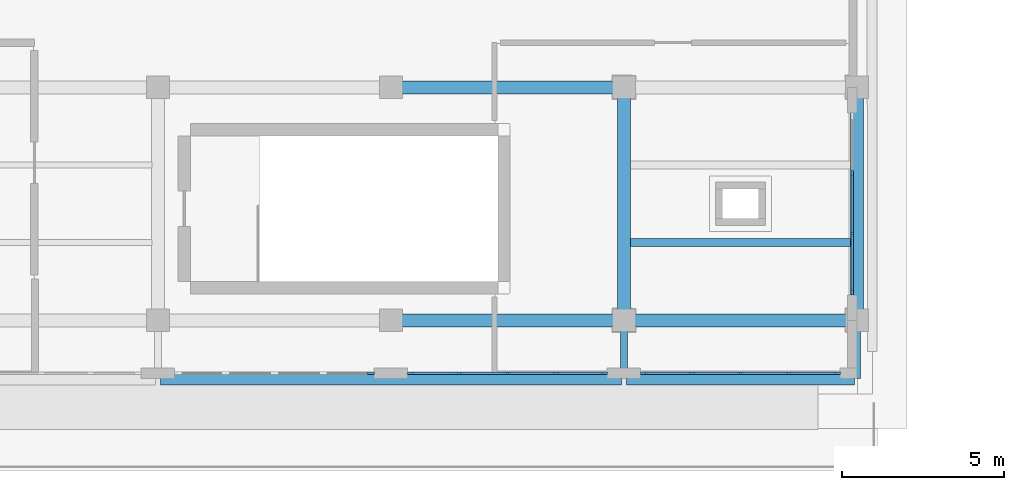
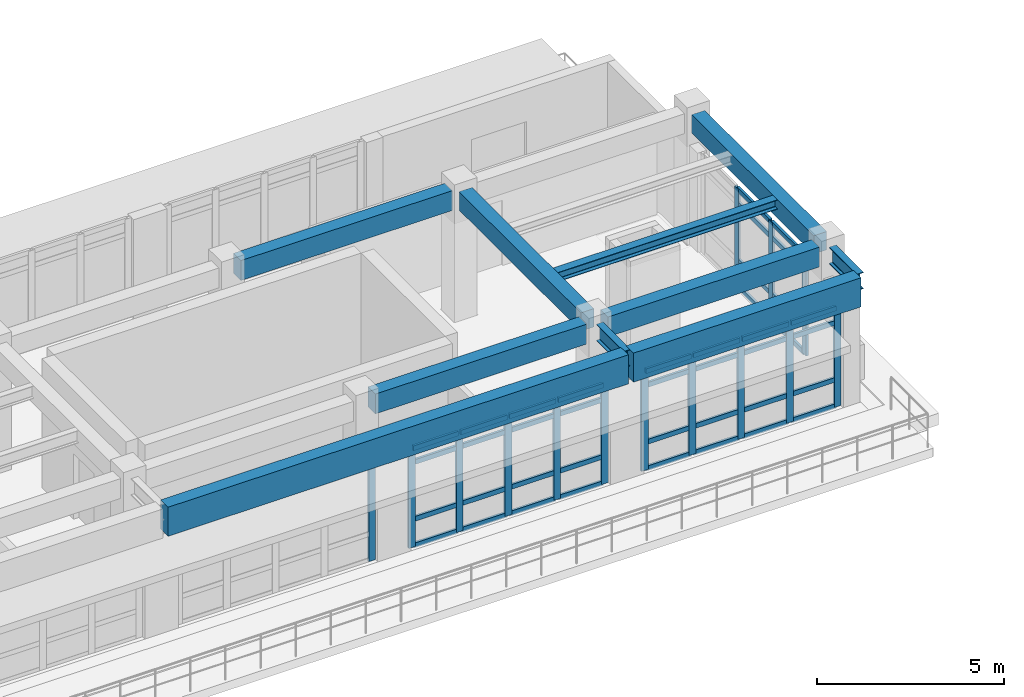
# One storey, part 20 of 55: 54 members, 10 beams, 4 elements without a shape of their own.
"""IFC4 building model written with IfcOpenShell, lengths in metres."""

import ifcopenshell
import ifcopenshell.guid

model = None  # the IFC model being written
_history = None  # IfcOwnerHistory: only IFC2X3 demands one
_inside = {}  # id of a spatial element -> (the spatial element, [elements in it])
_under = {}  # id of a project, library or spatial element -> (it, [spatial elements below it])
_declared = {}  # id of a project -> (the project, [libraries it declares])
_typed = {}  # id of a type object -> (the type object, [elements of that type])
_made_of = {}  # id of a material, layer set ... -> (it, [elements and type objects made of it])


def new_model(schema):
    """Start an empty IFC model of exactly this schema.

    Asked for "IFC4X3", IfcOpenShell would pick the latest addendum, in which some entities
    have other attributes; the version numbers below select the first issue.
    IFC2X3 requires an IfcOwnerHistory on every rooted entity: one is made here for all.
    """
    global model, _history
    if schema == "IFC4X3":
        model = ifcopenshell.file(schema_version=(4, 3, 0, 0))
    else:
        model = ifcopenshell.file(schema=schema)
    _inside.clear()
    _under.clear()
    _declared.clear()
    _typed.clear()
    _made_of.clear()
    _history = None
    if model.schema == "IFC2X3":
        org = make("IfcOrganization", Name="unknown")
        user = make(
            "IfcPersonAndOrganization",
            ThePerson=make("IfcPerson", FamilyName="unknown"),
            TheOrganization=org,
        )
        app = make(
            "IfcApplication",
            ApplicationDeveloper=org,
            Version="unknown",
            ApplicationFullName="unknown",
            ApplicationIdentifier="unknown",
        )
        _history = make(
            "IfcOwnerHistory",
            OwningUser=user,
            OwningApplication=app,
            ChangeAction="ADDED",
            CreationDate=0,
        )
    return model


def make(cls, **values):
    """One entity of the class cls with the attributes given. An attribute that is None is left unset."""
    return model.create_entity(
        cls, **{name: value for name, value in values.items() if value is not None}
    )


def rooted(cls, **values):
    """An entity with a GlobalId (a new one), such as an element, a storey or a relation."""
    return make(cls, GlobalId=ifcopenshell.guid.new(), OwnerHistory=_history, **values)


def si_unit(unit_type, name, prefix=None):
    """IfcSIUnit, for example si_unit("LENGTHUNIT", "METRE", prefix="MILLI")."""
    return make("IfcSIUnit", UnitType=unit_type, Prefix=prefix, Name=name)


def assignment(units):
    """IfcUnitAssignment: the units of a project."""
    return None if units is None else make("IfcUnitAssignment", Units=units)


def point(xyz):
    """IfcCartesianPoint."""
    return None if xyz is None else make("IfcCartesianPoint", Coordinates=xyz)


def direction(xyz):
    """IfcDirection."""
    return None if xyz is None else make("IfcDirection", DirectionRatios=xyz)


def frame(location, z_axis=None, x_axis=None):
    """IfcAxis2Placement3D, a coordinate frame: its origin and axes. An axis left out is left unset."""
    return make(
        "IfcAxis2Placement3D",
        Location=point(location),
        Axis=direction(z_axis),
        RefDirection=direction(x_axis),
    )


def frame_2d(location, x_axis=None):
    """IfcAxis2Placement2D, a coordinate frame in the plane: its origin and x axis."""
    return make(
        "IfcAxis2Placement2D", Location=point(location), RefDirection=direction(x_axis)
    )


def origin():
    """The frame at (0, 0, 0) with its axes left unset."""
    return frame((0.0, 0.0, 0.0))


def origin_2d():
    """The frame at (0, 0) in the plane with its x axis left unset."""
    return frame_2d((0.0, 0.0))


def place(relative_to, where):
    """IfcLocalPlacement: puts the frame where relative to a parent placement (None: the world)."""
    return make(
        "IfcLocalPlacement", PlacementRelTo=relative_to, RelativePlacement=where
    )


def context(
    kind, dimensions, precision=None, world=None, true_north=None, identifier=None
):
    """IfcGeometricRepresentationContext, for example the 3D "Model" context."""
    return make(
        "IfcGeometricRepresentationContext",
        ContextIdentifier=identifier,
        ContextType=kind,
        CoordinateSpaceDimension=dimensions,
        Precision=precision,
        WorldCoordinateSystem=world,
        TrueNorth=true_north,
    )


def subcontext(parent, identifier, kind, view, scale=None):
    """IfcGeometricRepresentationSubContext, for example "Body" below "Model"."""
    return make(
        "IfcGeometricRepresentationSubContext",
        ContextIdentifier=identifier,
        ContextType=kind,
        ParentContext=parent,
        TargetScale=scale,
        TargetView=view,
    )


def project(units=None, contexts=None):
    """IfcProject with its units and contexts."""
    return rooted(
        "IfcProject",
        Name="project",
        RepresentationContexts=contexts,
        UnitsInContext=assignment(units),
    )


def spatial(cls, under=None, at=None, **own):
    """A site, building, storey or space (cls), placed at a placement, below another one or the project."""
    s = rooted(cls, ObjectPlacement=at, **own)
    if under is not None:
        _under.setdefault(under.id(), (under, []))[1].append(s)
    return s


def profile(cls, at=None, kind="AREA", **sizes):
    """A parametric profile (cls). Its sizes go by their IFC names, for example OverallWidth=200.0."""
    return make(cls, ProfileType=kind, Position=at, **sizes)


def rectangle(**sizes):
    """IfcRectangleProfileDef."""
    return profile("IfcRectangleProfileDef", **sizes)


def i_section(**sizes):
    """IfcIShapeProfileDef."""
    return profile("IfcIShapeProfileDef", **sizes)


def extrude(swept, where, along, depth):
    """IfcExtrudedAreaSolid: the profile swept, set in the frame where, extruded along a direction by depth."""
    return make(
        "IfcExtrudedAreaSolid",
        SweptArea=swept,
        Position=where,
        ExtrudedDirection=direction(along),
        Depth=depth,
    )


def shape(context_of_items, identifier, shape_type, items):
    """IfcShapeRepresentation: the items that make up one representation, for example the "Body"."""
    return make(
        "IfcShapeRepresentation",
        ContextOfItems=context_of_items,
        RepresentationIdentifier=identifier,
        RepresentationType=shape_type,
        Items=items,
    )


def material(Name=None, Category=None):
    """IfcMaterial."""
    return make("IfcMaterial", Name=Name, Category=Category)


def layer(
    of_material, thickness, ventilated=None, Name=None, Category=None, Priority=None
):
    """IfcMaterialLayer: one layer of a wall or slab, of a material (None: an air gap)."""
    return make(
        "IfcMaterialLayer",
        Material=of_material,
        LayerThickness=thickness,
        IsVentilated=ventilated,
        Name=Name,
        Category=Category,
        Priority=Priority,
    )


def layer_set(layers, Name=None):
    """IfcMaterialLayerSet."""
    return make("IfcMaterialLayerSet", MaterialLayers=layers, LayerSetName=Name)


def material_profile(
    of_material, cross_section, Name=None, Category=None, Priority=None
):
    """IfcMaterialProfile: a cross section and its material."""
    return make(
        "IfcMaterialProfile",
        Name=Name,
        Material=of_material,
        Profile=cross_section,
        Priority=Priority,
        Category=Category,
    )


def profile_set(profiles, Name=None, composite=None):
    """IfcMaterialProfileSet."""
    return make(
        "IfcMaterialProfileSet",
        Name=Name,
        MaterialProfiles=profiles,
        CompositeProfile=composite,
    )


def made_of(thing, what):
    """Note that an element or type object is made of a material, layer set ...; save() writes the relation."""
    if what is not None:
        _made_of.setdefault(what.id(), (what, []))[1].append(thing)
    return thing


def type_object(cls, material=None, **own):
    """A type object (cls), such as IfcWallType, which elements share."""
    return made_of(rooted(cls, **own), material)


def element(
    cls,
    number,
    at=None,
    inside=None,
    cuts=None,
    type_object=None,
    material=None,
    context=None,
    identifier="Body",
    shape_type=None,
    held_by="IfcProductDefinitionShape",
    body=None,
    shapes=None,
    **own,
):
    """One element of the class cls, such as IfcWall. Its Tag is "e" and its number.

    at: its placement. inside: the storey or other place that contains it. cuts: it is an
    opening in that element (IfcRelVoidsElement). A single representation is given by context,
    identifier, shape_type and body (its items); several are given by shapes. held_by: the class
    of the entity that holds the representations. save() writes the other relations.
    """
    e = rooted(cls, Tag="e%d" % number, ObjectPlacement=at, **own)
    if body is not None:
        shapes = [shape(context, identifier, shape_type, body)]
    if shapes is not None:
        e.Representation = make(held_by, Representations=shapes)
    if inside is not None:
        _inside.setdefault(inside.id(), (inside, []))[1].append(e)
    if cuts is not None:
        rooted(
            "IfcRelVoidsElement", RelatingBuildingElement=cuts, RelatedOpeningElement=e
        )
    if type_object is not None:
        _typed.setdefault(type_object.id(), (type_object, []))[1].append(e)
    return made_of(e, material)


def aggregate(whole, parts):
    """IfcRelAggregates: a whole, such as a stair, and the parts it consists of."""
    return rooted("IfcRelAggregates", RelatingObject=whole, RelatedObjects=parts)


def save(model, path):
    """Write the relations noted so far, then the file.

    IfcRelAggregates (storeys below a building ...), IfcRelContainedInSpatialStructure (elements
    in a storey), IfcRelDefinesByType, IfcRelAssociatesMaterial and IfcRelDeclares: one each for
    every whole, place, type object, material and project.
    """
    for whole, parts in _under.values():
        aggregate(whole, parts)
    for where, things in _inside.values():
        rooted(
            "IfcRelContainedInSpatialStructure",
            RelatedElements=things,
            RelatingStructure=where,
        )
    for kind, things in _typed.values():
        rooted("IfcRelDefinesByType", RelatedObjects=things, RelatingType=kind)
    for what, things in _made_of.values():
        rooted("IfcRelAssociatesMaterial", RelatedObjects=things, RelatingMaterial=what)
    for by, libraries in _declared.values():
        rooted("IfcRelDeclares", RelatingContext=by, RelatedDefinitions=libraries)
    model.write(path)


model = new_model("IFC4")

# Units and contexts
model_context = context("Model", 3, precision=1e-05, world=origin(), true_north=direction((0.0, 1.0)))
body_context = subcontext(model_context, "Body", "Model", "MODEL_VIEW")
ifc_project = project(units=[si_unit("LENGTHUNIT", "METRE"), si_unit("AREAUNIT", "SQUARE_METRE"), si_unit("VOLUMEUNIT", "CUBIC_METRE"), si_unit("PLANEANGLEUNIT", "RADIAN"), si_unit("MASSUNIT", "GRAM", prefix="KILO")], contexts=[model_context])

# Site, building, storey
site_placement = place(None, origin())
site = spatial("IfcSite", under=ifc_project, at=site_placement, CompositionType="ELEMENT")
building_placement = place(site_placement, origin())
building = spatial("IfcBuilding", under=site, at=building_placement, Name="Solenvale Faculty of Natural Sciences", CompositionType="ELEMENT")
storey_placement = place(building_placement, frame((0.0, 0.0, 22.5)))
storey = spatial("IfcBuildingStorey", under=building, at=storey_placement, Name="L05", CompositionType="ELEMENT", Elevation=22.5)

# Beams
ifc_material_1 = material(Name="Concrete 40 MPa", Category="concrete")
ifc_material_profile_1 = material_profile(ifc_material_1, rectangle(XDim=0.39990234375, YDim=0.60009765625, at=origin_2d()), Name="RC-BM-400x600")
ifc_profile_set_1 = profile_set([ifc_material_profile_1], Name="Concrete 40 MPa")
beam_type_1 = type_object("IfcBeamType", Name="BM-RC-400x600", PredefinedType="BEAM", material=ifc_profile_set_1)
for number, where, z_axis, x_axis, name in (
    (1, (108.0, 21.929931640625, 3.919921875), (0.0, 1.0, 0.0), (-1.0, 0.0, 0.0), "L05 Y-Girder X108.0 (21.6..28.8)"),
    (2, (115.199951171875, 21.929931640625, 3.919921875), (0.0, 1.0, 0.0), (-1.0, 0.0, 0.0), "L05 Y-Girder X115.2 (21.6..28.8)"),
):
    element("IfcBeam", number, at=place(storey_placement, frame(where, z_axis=z_axis, x_axis=x_axis)), inside=storey, type_object=beam_type_1, Name=name, PredefinedType="BEAM", context=body_context, shape_type="SweptSolid", body=[
        extrude(rectangle(XDim=0.39990234375, YDim=0.60009765625, at=origin_2d()), origin(), (0.0, 0.0, 1.0), 6.5400390625),
    ])
ifc_material_profile_2 = material_profile(ifc_material_1, rectangle(XDim=0.39990234375, YDim=0.64990234375, at=origin_2d()), Name="RC-BM-400x650")
ifc_profile_set_2 = profile_set([ifc_material_profile_2], Name="Concrete 40 MPa")
beam_type_2 = type_object("IfcBeamType", Name="BM-RC-400x650", PredefinedType="BEAM", material=ifc_profile_set_2)
for number, where, z_axis, x_axis, name in (
    (3, (101.1298828125, 21.60009765625, 3.89501953125), (1.0, 0.0, 0.0), (0.0, 1.0, 0.0), "L05 X-Girder Y21.6 (100.8..108.0)"),
    (4, (108.330078125, 21.60009765625, 3.89501953125), (1.0, 0.0, 0.0), (0.0, 1.0, 0.0), "L05 X-Girder Y21.6 (108.0..115.2)"),
    (5, (101.1298828125, 28.800048828125, 3.89501953125), (1.0, 0.0, 0.0), (0.0, 1.0, 0.0), "L05 X-Girder Y28.8 (100.8..108.0)"),
):
    element("IfcBeam", number, at=place(storey_placement, frame(where, z_axis=z_axis, x_axis=x_axis)), inside=storey, type_object=beam_type_2, Name=name, PredefinedType="BEAM", context=body_context, shape_type="SweptSolid", body=[
        extrude(rectangle(XDim=0.39990234375, YDim=0.64990234375, at=origin_2d()), origin(), (0.0, 0.0, 1.0), 6.5400390625),
    ])
ifc_material_2 = material(Name="Architectural bronze concrete 40 MPa", Category="concrete")
ifc_material_profile_3 = material_profile(ifc_material_2, rectangle(XDim=0.39990234375, YDim=0.949951171875, at=origin_2d()), Name="RC-SPN-400x950")
ifc_profile_set_3 = profile_set([ifc_material_profile_3], Name="Architectural bronze concrete 40 MPa")
beam_type_3 = type_object("IfcBeamType", Name="BM-SPN-BRZ-950", PredefinedType="SPANDREL", material=ifc_profile_set_3)
beam_1_placement = place(storey_placement, frame((93.679931640625, 19.800048828125, 3.7451171875), z_axis=(1.0, 0.0, 0.0), x_axis=(0.0, 1.0, 0.0)))
element("IfcBeam", 6, at=beam_1_placement, inside=storey, type_object=beam_type_3, Name="L06 Sliding-Tray South Bronze Fascia 5", PredefinedType="SPANDREL", context=body_context, shape_type="SweptSolid", body=[
    extrude(rectangle(XDim=0.39990234375, YDim=0.949951171875, at=origin_2d()), origin(), (0.0, 0.0, 1.0), 14.239990234375),
])
beam_2_placement = place(storey_placement, frame((108.080078125, 19.800048828125, 3.7451171875), z_axis=(1.0, 0.0, 0.0), x_axis=(0.0, 1.0, 0.0)))
element("IfcBeam", 7, at=beam_2_placement, inside=storey, type_object=beam_type_3, Name="L06 Sliding-Tray South Bronze Fascia 6", PredefinedType="SPANDREL", context=body_context, shape_type="SweptSolid", body=[
    extrude(rectangle(XDim=0.39990234375, YDim=0.949951171875, at=origin_2d()), origin(), (0.0, 0.0, 1.0), 7.0400390625),
])
ifc_material_3 = material(Name="Steel S355", Category="steel")
ifc_material_profile_4 = material_profile(ifc_material_3, i_section(OverallWidth=0.25390625, OverallDepth=0.305908203125, WebThickness=0.0087890625, FlangeThickness=0.0146484375, FilletRadius=0.014892578125, at=origin_2d()), Name="W310x79")
ifc_profile_set_4 = profile_set([ifc_material_profile_4], Name="Steel S355")
beam_type_4 = type_object("IfcBeamType", Name="BM-STL-W310x79", PredefinedType="JOIST", material=ifc_profile_set_4)
beam_3_placement = place(storey_placement, frame((108.179931640625, 24.0, 4.06689453125), z_axis=(1.0, 0.0, 0.0), x_axis=(0.0, 1.0, 0.0)))
element("IfcBeam", 8, at=beam_3_placement, inside=storey, type_object=beam_type_4, Name="L05 Composite Floor Joist (16,4).1", PredefinedType="JOIST", context=body_context, shape_type="SweptSolid", body=[
    extrude(i_section(OverallWidth=0.25390625, OverallDepth=0.305908203125, WebThickness=0.0087890625, FlangeThickness=0.0146484375, FilletRadius=0.014892578125, at=origin_2d()), origin(), (0.0, 0.0, 1.0), 6.840087890625),
])
ifc_material_profile_5 = material_profile(ifc_material_3, i_section(OverallWidth=0.2119140625, OverallDepth=0.5439453125, WebThickness=0.01318359375, FlangeThickness=0.021240234375, FilletRadius=0.01904296875, at=origin_2d()), Name="W530x123")
ifc_profile_set_5 = profile_set([ifc_material_profile_5], Name="Steel S355")
beam_type_5 = type_object("IfcBeamType", Name="BM-STL-W530x123", PredefinedType="BEAM", material=ifc_profile_set_5)
for number, where, z_axis, x_axis, name in (
    (9, (108.0, 21.27001953125, 3.947998046875), (0.0, -1.0, 0.0), (1.0, 0.0, 0.0), "L05 V4 Cantilever Tray Girder X108.0"),
    (10, (115.199951171875, 21.27001953125, 3.947998046875), (0.0, -1.0, 0.0), (1.0, 0.0, 0.0), "L05 V4 Cantilever Tray Girder X115.2"),
):
    element("IfcBeam", number, at=place(storey_placement, frame(where, z_axis=z_axis, x_axis=x_axis)), inside=storey, type_object=beam_type_5, Name=name, PredefinedType="BEAM", context=body_context, shape_type="SweptSolid", body=[
        extrude(i_section(OverallWidth=0.2119140625, OverallDepth=0.5439453125, WebThickness=0.01318359375, FlangeThickness=0.021240234375, FilletRadius=0.01904296875, at=origin_2d()), origin(), (0.0, 0.0, 1.0), 1.469970703125),
    ])

# Curtain wall, members
ifc_material_4 = material(Name="Anodised bronze aluminium", Category="aluminium")
ifc_layer_1 = layer(ifc_material_4, 0.179931640625)
ifc_layer_set_1 = layer_set([ifc_layer_1], Name="Anodised bronze aluminium")
curtain_wall_type_1 = type_object("IfcCurtainWallType", Name="CW-TWR-MOD", PredefinedType="USERDEFINED", material=ifc_layer_set_1)
curtain_wall_1_placement = place(storey_placement, origin())
curtain_wall_1 = element("IfcCurtainWall", 11, at=curtain_wall_1_placement, inside=storey, type_object=curtain_wall_type_1, Name="L05 Curtain Wall CW-L05-P1-E1-B2", ObjectType="UNITISED CURTAIN WALL", PredefinedType="USERDEFINED")
ifc_material_profile_6 = material_profile(ifc_material_4, rectangle(XDim=0.074951171875, YDim=0.2099609375, at=origin_2d()), Name="ALU-MUL-75x210")
ifc_profile_set_6 = profile_set([ifc_material_profile_6], Name="Anodised bronze aluminium")
member_type_1 = type_object("IfcMemberType", Name="CWM-ALU-75x210", PredefinedType="MULLION", material=ifc_profile_set_6)
member_1_placement = place(storey_placement, frame((115.0576171875, 22.487548828125, 0.0), z_axis=(0.0, 0.0, 1.0), x_axis=(-1.0, 0.0, 0.0)))
member_1 = element("IfcMember", 12, at=member_1_placement, type_object=member_type_1, Name="CW-04 mullion 1", PredefinedType="MULLION", context=body_context, shape_type="SweptSolid", body=[
    extrude(rectangle(XDim=0.074951171875, YDim=0.2099609375, at=origin_2d()), origin(), (0.0, 0.0, 1.0), 3.260009765625),
])
member_2_placement = place(storey_placement, frame((115.0576171875, 24.283447265625, 0.0), z_axis=(0.0, 0.0, 1.0), x_axis=(-1.0, 0.0, 0.0)))
member_2 = element("IfcMember", 13, at=member_2_placement, type_object=member_type_1, Name="CW-04 mullion 2", PredefinedType="MULLION", context=body_context, shape_type="SweptSolid", body=[
    extrude(rectangle(XDim=0.074951171875, YDim=0.2099609375, at=origin_2d()), origin(), (0.0, 0.0, 1.0), 3.260009765625),
])
member_3_placement = place(storey_placement, frame((115.0576171875, 26.11669921875, 0.0), z_axis=(0.0, 0.0, 1.0), x_axis=(-1.0, 0.0, 0.0)))
member_3 = element("IfcMember", 14, at=member_3_placement, type_object=member_type_1, Name="CW-04 mullion 3", PredefinedType="MULLION", context=body_context, shape_type="SweptSolid", body=[
    extrude(rectangle(XDim=0.074951171875, YDim=0.2099609375, at=origin_2d()), origin(), (0.0, 0.0, 1.0), 3.260009765625),
])

# Curtain wall, member
ifc_layer_2 = layer(ifc_material_4, 0.18994140625)
ifc_layer_set_2 = layer_set([ifc_layer_2], Name="Anodised bronze aluminium")
curtain_wall_type_2 = type_object("IfcCurtainWallType", Name="CW-TRAY-REC", PredefinedType="USERDEFINED", material=ifc_layer_set_2)
curtain_wall_2_placement = place(storey_placement, origin())
curtain_wall_2 = element("IfcCurtainWall", 15, at=curtain_wall_2_placement, inside=storey, type_object=curtain_wall_type_2, Name="L05 Curtain Wall CW-L05-P1-E4-B6", ObjectType="UNITISED CURTAIN WALL", PredefinedType="USERDEFINED")
member_4_placement = place(storey_placement, frame((100.1826171875, 19.96240234375, 0.0), z_axis=(0.0, 0.0, 1.0), x_axis=(0.0, 1.0, 0.0)))
member_4 = element("IfcMember", 16, at=member_4_placement, type_object=member_type_1, Name="CW-02 mullion 5", PredefinedType="MULLION", context=body_context, shape_type="SweptSolid", body=[
    extrude(rectangle(XDim=0.074951171875, YDim=0.2099609375, at=origin_2d()), origin(), (0.0, 0.0, 1.0), 3.260009765625),
])
aggregate(curtain_wall_2, [member_4])

# Curtain wall, members
curtain_wall_3_placement = place(storey_placement, origin())
curtain_wall_3 = element("IfcCurtainWall", 17, at=curtain_wall_3_placement, inside=storey, type_object=curtain_wall_type_2, Name="L05 Curtain Wall CW-L05-P1-E4-B7", ObjectType="UNITISED CURTAIN WALL", PredefinedType="USERDEFINED")
member_5_placement = place(storey_placement, frame((101.41748046875, 19.96240234375, 0.0), z_axis=(0.0, 0.0, 1.0), x_axis=(0.0, 1.0, 0.0)))
member_5 = element("IfcMember", 18, at=member_5_placement, type_object=member_type_1, Name="CW-02 mullion 1", PredefinedType="MULLION", context=body_context, shape_type="SweptSolid", body=[
    extrude(rectangle(XDim=0.074951171875, YDim=0.2099609375, at=origin_2d()), origin(), (0.0, 0.0, 1.0), 3.260009765625),
])
member_6_placement = place(storey_placement, frame((102.889892578125, 19.96240234375, 0.0), z_axis=(0.0, 0.0, 1.0), x_axis=(0.0, 1.0, 0.0)))
member_6 = element("IfcMember", 19, at=member_6_placement, type_object=member_type_1, Name="CW-02 mullion 2", PredefinedType="MULLION", context=body_context, shape_type="SweptSolid", body=[
    extrude(rectangle(XDim=0.074951171875, YDim=0.2099609375, at=origin_2d()), origin(), (0.0, 0.0, 1.0), 3.260009765625),
])
member_7_placement = place(storey_placement, frame((104.39990234375, 19.96240234375, 0.0), z_axis=(0.0, 0.0, 1.0), x_axis=(0.0, 1.0, 0.0)))
member_7 = element("IfcMember", 20, at=member_7_placement, type_object=member_type_1, Name="CW-02 mullion 3", PredefinedType="MULLION", context=body_context, shape_type="SweptSolid", body=[
    extrude(rectangle(XDim=0.074951171875, YDim=0.2099609375, at=origin_2d()), origin(), (0.0, 0.0, 1.0), 3.260009765625),
])
member_8_placement = place(storey_placement, frame((105.909912109375, 19.96240234375, 0.0), z_axis=(0.0, 0.0, 1.0), x_axis=(0.0, 1.0, 0.0)))
member_8 = element("IfcMember", 21, at=member_8_placement, type_object=member_type_1, Name="CW-02 mullion 4", PredefinedType="MULLION", context=body_context, shape_type="SweptSolid", body=[
    extrude(rectangle(XDim=0.074951171875, YDim=0.2099609375, at=origin_2d()), origin(), (0.0, 0.0, 1.0), 3.260009765625),
])
member_9_placement = place(storey_placement, frame((107.382568359375, 19.96240234375, 0.0), z_axis=(0.0, 0.0, 1.0), x_axis=(0.0, 1.0, 0.0)))
member_9 = element("IfcMember", 22, at=member_9_placement, type_object=member_type_1, Name="CW-02 mullion 5", PredefinedType="MULLION", context=body_context, shape_type="SweptSolid", body=[
    extrude(rectangle(XDim=0.074951171875, YDim=0.2099609375, at=origin_2d()), origin(), (0.0, 0.0, 1.0), 3.260009765625),
])

curtain_wall_4_placement = place(storey_placement, origin())
curtain_wall_4 = element("IfcCurtainWall", 23, at=curtain_wall_4_placement, inside=storey, type_object=curtain_wall_type_2, Name="L05 Curtain Wall CW-L05-P1-E4-B8", ObjectType="UNITISED CURTAIN WALL", PredefinedType="USERDEFINED")
member_10_placement = place(storey_placement, frame((108.617431640625, 19.96240234375, 0.0), z_axis=(0.0, 0.0, 1.0), x_axis=(0.0, 1.0, 0.0)))
member_10 = element("IfcMember", 24, at=member_10_placement, type_object=member_type_1, Name="CW-02 mullion 1", PredefinedType="MULLION", context=body_context, shape_type="SweptSolid", body=[
    extrude(rectangle(XDim=0.074951171875, YDim=0.2099609375, at=origin_2d()), origin(), (0.0, 0.0, 1.0), 3.260009765625),
])
member_11_placement = place(storey_placement, frame((110.090087890625, 19.96240234375, 0.0), z_axis=(0.0, 0.0, 1.0), x_axis=(0.0, 1.0, 0.0)))
member_11 = element("IfcMember", 25, at=member_11_placement, type_object=member_type_1, Name="CW-02 mullion 2", PredefinedType="MULLION", context=body_context, shape_type="SweptSolid", body=[
    extrude(rectangle(XDim=0.074951171875, YDim=0.2099609375, at=origin_2d()), origin(), (0.0, 0.0, 1.0), 3.260009765625),
])
member_12_placement = place(storey_placement, frame((111.60009765625, 19.96240234375, 0.0), z_axis=(0.0, 0.0, 1.0), x_axis=(0.0, 1.0, 0.0)))
member_12 = element("IfcMember", 26, at=member_12_placement, type_object=member_type_1, Name="CW-02 mullion 3", PredefinedType="MULLION", context=body_context, shape_type="SweptSolid", body=[
    extrude(rectangle(XDim=0.074951171875, YDim=0.2099609375, at=origin_2d()), origin(), (0.0, 0.0, 1.0), 3.260009765625),
])
member_13_placement = place(storey_placement, frame((113.110107421875, 19.96240234375, 0.0), z_axis=(0.0, 0.0, 1.0), x_axis=(0.0, 1.0, 0.0)))
member_13 = element("IfcMember", 27, at=member_13_placement, type_object=member_type_1, Name="CW-02 mullion 4", PredefinedType="MULLION", context=body_context, shape_type="SweptSolid", body=[
    extrude(rectangle(XDim=0.074951171875, YDim=0.2099609375, at=origin_2d()), origin(), (0.0, 0.0, 1.0), 3.260009765625),
])
member_14_placement = place(storey_placement, frame((114.58251953125, 19.96240234375, 0.0), z_axis=(0.0, 0.0, 1.0), x_axis=(0.0, 1.0, 0.0)))
member_14 = element("IfcMember", 28, at=member_14_placement, type_object=member_type_1, Name="CW-02 mullion 5", PredefinedType="MULLION", context=body_context, shape_type="SweptSolid", body=[
    extrude(rectangle(XDim=0.074951171875, YDim=0.2099609375, at=origin_2d()), origin(), (0.0, 0.0, 1.0), 3.260009765625),
])

# Member
ifc_material_profile_7 = material_profile(ifc_material_4, rectangle(XDim=0.074951171875, YDim=0.155029296875, at=origin_2d()), Name="ALU-TRN-75x155")
ifc_profile_set_7 = profile_set([ifc_material_profile_7], Name="Anodised bronze aluminium")
member_type_2 = type_object("IfcMemberType", Name="CWT-ALU-75x155", PredefinedType="USERDEFINED", material=ifc_profile_set_7)
member_15_placement = place(storey_placement, frame((115.0576171875, 22.52490234375, 0.03759765625), z_axis=(0.0, 1.0, 0.0), x_axis=(-1.0, 0.0, 0.0)))
member_15 = element("IfcMember", 29, at=member_15_placement, type_object=member_type_2, Name="CW-04 transom 1.1", ObjectType="TRANSOM", PredefinedType="USERDEFINED", context=body_context, shape_type="SweptSolid", body=[
    extrude(rectangle(XDim=0.074951171875, YDim=0.155029296875, at=origin_2d()), origin(), (0.0, 0.0, 1.0), 1.720947265625),
])

member_16_placement = place(storey_placement, frame((115.0576171875, 22.52490234375, 0.89990234375), z_axis=(0.0, 1.0, 0.0), x_axis=(-1.0, 0.0, 0.0)))
member_16 = element("IfcMember", 30, at=member_16_placement, type_object=member_type_2, Name="CW-04 transom 1.2", ObjectType="TRANSOM", PredefinedType="USERDEFINED", context=body_context, shape_type="SweptSolid", body=[
    extrude(rectangle(XDim=0.074951171875, YDim=0.155029296875, at=origin_2d()), origin(), (0.0, 0.0, 1.0), 1.720947265625),
])

member_17_placement = place(storey_placement, frame((115.0576171875, 22.52490234375, 2.760009765625), z_axis=(0.0, 1.0, 0.0), x_axis=(-1.0, 0.0, 0.0)))
member_17 = element("IfcMember", 31, at=member_17_placement, type_object=member_type_2, Name="CW-04 transom 1.3", ObjectType="TRANSOM", PredefinedType="USERDEFINED", context=body_context, shape_type="SweptSolid", body=[
    extrude(rectangle(XDim=0.074951171875, YDim=0.155029296875, at=origin_2d()), origin(), (0.0, 0.0, 1.0), 1.720947265625),
])

member_18_placement = place(storey_placement, frame((115.0576171875, 22.52490234375, 3.222412109375), z_axis=(0.0, 1.0, 0.0), x_axis=(-1.0, 0.0, 0.0)))
member_18 = element("IfcMember", 32, at=member_18_placement, type_object=member_type_2, Name="CW-04 transom 1.4", ObjectType="TRANSOM", PredefinedType="USERDEFINED", context=body_context, shape_type="SweptSolid", body=[
    extrude(rectangle(XDim=0.074951171875, YDim=0.155029296875, at=origin_2d()), origin(), (0.0, 0.0, 1.0), 1.720947265625),
])

member_19_placement = place(storey_placement, frame((115.0576171875, 24.32080078125, 0.03759765625), z_axis=(0.0, 1.0, 0.0), x_axis=(-1.0, 0.0, 0.0)))
member_19 = element("IfcMember", 33, at=member_19_placement, type_object=member_type_2, Name="CW-04 transom 2.1", ObjectType="TRANSOM", PredefinedType="USERDEFINED", context=body_context, shape_type="SweptSolid", body=[
    extrude(rectangle(XDim=0.074951171875, YDim=0.155029296875, at=origin_2d()), origin(), (0.0, 0.0, 1.0), 1.75830078125),
])

member_20_placement = place(storey_placement, frame((115.0576171875, 24.32080078125, 0.89990234375), z_axis=(0.0, 1.0, 0.0), x_axis=(-1.0, 0.0, 0.0)))
member_20 = element("IfcMember", 34, at=member_20_placement, type_object=member_type_2, Name="CW-04 transom 2.2", ObjectType="TRANSOM", PredefinedType="USERDEFINED", context=body_context, shape_type="SweptSolid", body=[
    extrude(rectangle(XDim=0.074951171875, YDim=0.155029296875, at=origin_2d()), origin(), (0.0, 0.0, 1.0), 1.75830078125),
])

member_21_placement = place(storey_placement, frame((115.0576171875, 24.32080078125, 2.760009765625), z_axis=(0.0, 1.0, 0.0), x_axis=(-1.0, 0.0, 0.0)))
member_21 = element("IfcMember", 35, at=member_21_placement, type_object=member_type_2, Name="CW-04 transom 2.3", ObjectType="TRANSOM", PredefinedType="USERDEFINED", context=body_context, shape_type="SweptSolid", body=[
    extrude(rectangle(XDim=0.074951171875, YDim=0.155029296875, at=origin_2d()), origin(), (0.0, 0.0, 1.0), 1.75830078125),
])

member_22_placement = place(storey_placement, frame((115.0576171875, 24.32080078125, 3.222412109375), z_axis=(0.0, 1.0, 0.0), x_axis=(-1.0, 0.0, 0.0)))
member_22 = element("IfcMember", 36, at=member_22_placement, type_object=member_type_2, Name="CW-04 transom 2.4", ObjectType="TRANSOM", PredefinedType="USERDEFINED", context=body_context, shape_type="SweptSolid", body=[
    extrude(rectangle(XDim=0.074951171875, YDim=0.155029296875, at=origin_2d()), origin(), (0.0, 0.0, 1.0), 1.75830078125),
])

aggregate(curtain_wall_1, [member_1, member_2, member_3, member_15, member_16, member_17, member_18, member_19, member_20, member_21, member_22])

member_23_placement = place(storey_placement, frame((101.455078125, 19.96240234375, 0.03759765625), z_axis=(1.0, 0.0, 0.0), x_axis=(0.0, 1.0, 0.0)))
member_23 = element("IfcMember", 37, at=member_23_placement, type_object=member_type_2, Name="CW-02 transom 1.1", ObjectType="TRANSOM", PredefinedType="USERDEFINED", context=body_context, shape_type="SweptSolid", body=[
    extrude(rectangle(XDim=0.074951171875, YDim=0.155029296875, at=origin_2d()), origin(), (0.0, 0.0, 1.0), 1.3974609375),
])

member_24_placement = place(storey_placement, frame((101.455078125, 19.96240234375, 0.89990234375), z_axis=(1.0, 0.0, 0.0), x_axis=(0.0, 1.0, 0.0)))
member_24 = element("IfcMember", 38, at=member_24_placement, type_object=member_type_2, Name="CW-02 transom 1.2", ObjectType="TRANSOM", PredefinedType="USERDEFINED", context=body_context, shape_type="SweptSolid", body=[
    extrude(rectangle(XDim=0.074951171875, YDim=0.155029296875, at=origin_2d()), origin(), (0.0, 0.0, 1.0), 1.3974609375),
])

member_25_placement = place(storey_placement, frame((101.455078125, 19.96240234375, 2.760009765625), z_axis=(1.0, 0.0, 0.0), x_axis=(0.0, 1.0, 0.0)))
member_25 = element("IfcMember", 39, at=member_25_placement, type_object=member_type_2, Name="CW-02 transom 1.3", ObjectType="TRANSOM", PredefinedType="USERDEFINED", context=body_context, shape_type="SweptSolid", body=[
    extrude(rectangle(XDim=0.074951171875, YDim=0.155029296875, at=origin_2d()), origin(), (0.0, 0.0, 1.0), 1.3974609375),
])

member_26_placement = place(storey_placement, frame((101.455078125, 19.96240234375, 3.222412109375), z_axis=(1.0, 0.0, 0.0), x_axis=(0.0, 1.0, 0.0)))
member_26 = element("IfcMember", 40, at=member_26_placement, type_object=member_type_2, Name="CW-02 transom 1.4", ObjectType="TRANSOM", PredefinedType="USERDEFINED", context=body_context, shape_type="SweptSolid", body=[
    extrude(rectangle(XDim=0.074951171875, YDim=0.155029296875, at=origin_2d()), origin(), (0.0, 0.0, 1.0), 1.3974609375),
])

member_27_placement = place(storey_placement, frame((102.927490234375, 19.96240234375, 0.03759765625), z_axis=(1.0, 0.0, 0.0), x_axis=(0.0, 1.0, 0.0)))
member_27 = element("IfcMember", 41, at=member_27_placement, type_object=member_type_2, Name="CW-02 transom 2.1", ObjectType="TRANSOM", PredefinedType="USERDEFINED", context=body_context, shape_type="SweptSolid", body=[
    extrude(rectangle(XDim=0.074951171875, YDim=0.155029296875, at=origin_2d()), origin(), (0.0, 0.0, 1.0), 1.43505859375),
])

member_28_placement = place(storey_placement, frame((102.927490234375, 19.96240234375, 0.89990234375), z_axis=(1.0, 0.0, 0.0), x_axis=(0.0, 1.0, 0.0)))
member_28 = element("IfcMember", 42, at=member_28_placement, type_object=member_type_2, Name="CW-02 transom 2.2", ObjectType="TRANSOM", PredefinedType="USERDEFINED", context=body_context, shape_type="SweptSolid", body=[
    extrude(rectangle(XDim=0.074951171875, YDim=0.155029296875, at=origin_2d()), origin(), (0.0, 0.0, 1.0), 1.43505859375),
])

member_29_placement = place(storey_placement, frame((102.927490234375, 19.96240234375, 2.760009765625), z_axis=(1.0, 0.0, 0.0), x_axis=(0.0, 1.0, 0.0)))
member_29 = element("IfcMember", 43, at=member_29_placement, type_object=member_type_2, Name="CW-02 transom 2.3", ObjectType="TRANSOM", PredefinedType="USERDEFINED", context=body_context, shape_type="SweptSolid", body=[
    extrude(rectangle(XDim=0.074951171875, YDim=0.155029296875, at=origin_2d()), origin(), (0.0, 0.0, 1.0), 1.43505859375),
])

member_30_placement = place(storey_placement, frame((102.927490234375, 19.96240234375, 3.222412109375), z_axis=(1.0, 0.0, 0.0), x_axis=(0.0, 1.0, 0.0)))
member_30 = element("IfcMember", 44, at=member_30_placement, type_object=member_type_2, Name="CW-02 transom 2.4", ObjectType="TRANSOM", PredefinedType="USERDEFINED", context=body_context, shape_type="SweptSolid", body=[
    extrude(rectangle(XDim=0.074951171875, YDim=0.155029296875, at=origin_2d()), origin(), (0.0, 0.0, 1.0), 1.43505859375),
])

member_31_placement = place(storey_placement, frame((104.4375, 19.96240234375, 0.03759765625), z_axis=(1.0, 0.0, 0.0), x_axis=(0.0, 1.0, 0.0)))
member_31 = element("IfcMember", 45, at=member_31_placement, type_object=member_type_2, Name="CW-02 transom 3.1", ObjectType="TRANSOM", PredefinedType="USERDEFINED", context=body_context, shape_type="SweptSolid", body=[
    extrude(rectangle(XDim=0.074951171875, YDim=0.155029296875, at=origin_2d()), origin(), (0.0, 0.0, 1.0), 1.43505859375),
])

member_32_placement = place(storey_placement, frame((104.4375, 19.96240234375, 0.89990234375), z_axis=(1.0, 0.0, 0.0), x_axis=(0.0, 1.0, 0.0)))
member_32 = element("IfcMember", 46, at=member_32_placement, type_object=member_type_2, Name="CW-02 transom 3.2", ObjectType="TRANSOM", PredefinedType="USERDEFINED", context=body_context, shape_type="SweptSolid", body=[
    extrude(rectangle(XDim=0.074951171875, YDim=0.155029296875, at=origin_2d()), origin(), (0.0, 0.0, 1.0), 1.43505859375),
])

member_33_placement = place(storey_placement, frame((104.4375, 19.96240234375, 2.760009765625), z_axis=(1.0, 0.0, 0.0), x_axis=(0.0, 1.0, 0.0)))
member_33 = element("IfcMember", 47, at=member_33_placement, type_object=member_type_2, Name="CW-02 transom 3.3", ObjectType="TRANSOM", PredefinedType="USERDEFINED", context=body_context, shape_type="SweptSolid", body=[
    extrude(rectangle(XDim=0.074951171875, YDim=0.155029296875, at=origin_2d()), origin(), (0.0, 0.0, 1.0), 1.43505859375),
])

member_34_placement = place(storey_placement, frame((104.4375, 19.96240234375, 3.222412109375), z_axis=(1.0, 0.0, 0.0), x_axis=(0.0, 1.0, 0.0)))
member_34 = element("IfcMember", 48, at=member_34_placement, type_object=member_type_2, Name="CW-02 transom 3.4", ObjectType="TRANSOM", PredefinedType="USERDEFINED", context=body_context, shape_type="SweptSolid", body=[
    extrude(rectangle(XDim=0.074951171875, YDim=0.155029296875, at=origin_2d()), origin(), (0.0, 0.0, 1.0), 1.43505859375),
])

member_35_placement = place(storey_placement, frame((105.947509765625, 19.96240234375, 0.03759765625), z_axis=(1.0, 0.0, 0.0), x_axis=(0.0, 1.0, 0.0)))
member_35 = element("IfcMember", 49, at=member_35_placement, type_object=member_type_2, Name="CW-02 transom 4.1", ObjectType="TRANSOM", PredefinedType="USERDEFINED", context=body_context, shape_type="SweptSolid", body=[
    extrude(rectangle(XDim=0.074951171875, YDim=0.155029296875, at=origin_2d()), origin(), (0.0, 0.0, 1.0), 1.3974609375),
])

member_36_placement = place(storey_placement, frame((105.947509765625, 19.96240234375, 0.89990234375), z_axis=(1.0, 0.0, 0.0), x_axis=(0.0, 1.0, 0.0)))
member_36 = element("IfcMember", 50, at=member_36_placement, type_object=member_type_2, Name="CW-02 transom 4.2", ObjectType="TRANSOM", PredefinedType="USERDEFINED", context=body_context, shape_type="SweptSolid", body=[
    extrude(rectangle(XDim=0.074951171875, YDim=0.155029296875, at=origin_2d()), origin(), (0.0, 0.0, 1.0), 1.3974609375),
])

member_37_placement = place(storey_placement, frame((105.947509765625, 19.96240234375, 2.760009765625), z_axis=(1.0, 0.0, 0.0), x_axis=(0.0, 1.0, 0.0)))
member_37 = element("IfcMember", 51, at=member_37_placement, type_object=member_type_2, Name="CW-02 transom 4.3", ObjectType="TRANSOM", PredefinedType="USERDEFINED", context=body_context, shape_type="SweptSolid", body=[
    extrude(rectangle(XDim=0.074951171875, YDim=0.155029296875, at=origin_2d()), origin(), (0.0, 0.0, 1.0), 1.3974609375),
])

member_38_placement = place(storey_placement, frame((105.947509765625, 19.96240234375, 3.222412109375), z_axis=(1.0, 0.0, 0.0), x_axis=(0.0, 1.0, 0.0)))
member_38 = element("IfcMember", 52, at=member_38_placement, type_object=member_type_2, Name="CW-02 transom 4.4", ObjectType="TRANSOM", PredefinedType="USERDEFINED", context=body_context, shape_type="SweptSolid", body=[
    extrude(rectangle(XDim=0.074951171875, YDim=0.155029296875, at=origin_2d()), origin(), (0.0, 0.0, 1.0), 1.3974609375),
])

aggregate(curtain_wall_3, [member_5, member_6, member_7, member_8, member_9, member_23, member_24, member_25, member_26, member_27, member_28, member_29, member_30, member_31, member_32, member_33, member_34, member_35, member_36, member_37, member_38])

member_39_placement = place(storey_placement, frame((108.655029296875, 19.96240234375, 0.03759765625), z_axis=(1.0, 0.0, 0.0), x_axis=(0.0, 1.0, 0.0)))
member_39 = element("IfcMember", 53, at=member_39_placement, type_object=member_type_2, Name="CW-02 transom 1.1", ObjectType="TRANSOM", PredefinedType="USERDEFINED", context=body_context, shape_type="SweptSolid", body=[
    extrude(rectangle(XDim=0.074951171875, YDim=0.155029296875, at=origin_2d()), origin(), (0.0, 0.0, 1.0), 1.3974609375),
])

member_40_placement = place(storey_placement, frame((108.655029296875, 19.96240234375, 0.89990234375), z_axis=(1.0, 0.0, 0.0), x_axis=(0.0, 1.0, 0.0)))
member_40 = element("IfcMember", 54, at=member_40_placement, type_object=member_type_2, Name="CW-02 transom 1.2", ObjectType="TRANSOM", PredefinedType="USERDEFINED", context=body_context, shape_type="SweptSolid", body=[
    extrude(rectangle(XDim=0.074951171875, YDim=0.155029296875, at=origin_2d()), origin(), (0.0, 0.0, 1.0), 1.3974609375),
])

member_41_placement = place(storey_placement, frame((108.655029296875, 19.96240234375, 2.760009765625), z_axis=(1.0, 0.0, 0.0), x_axis=(0.0, 1.0, 0.0)))
member_41 = element("IfcMember", 55, at=member_41_placement, type_object=member_type_2, Name="CW-02 transom 1.3", ObjectType="TRANSOM", PredefinedType="USERDEFINED", context=body_context, shape_type="SweptSolid", body=[
    extrude(rectangle(XDim=0.074951171875, YDim=0.155029296875, at=origin_2d()), origin(), (0.0, 0.0, 1.0), 1.3974609375),
])

member_42_placement = place(storey_placement, frame((108.655029296875, 19.96240234375, 3.222412109375), z_axis=(1.0, 0.0, 0.0), x_axis=(0.0, 1.0, 0.0)))
member_42 = element("IfcMember", 56, at=member_42_placement, type_object=member_type_2, Name="CW-02 transom 1.4", ObjectType="TRANSOM", PredefinedType="USERDEFINED", context=body_context, shape_type="SweptSolid", body=[
    extrude(rectangle(XDim=0.074951171875, YDim=0.155029296875, at=origin_2d()), origin(), (0.0, 0.0, 1.0), 1.3974609375),
])

member_43_placement = place(storey_placement, frame((110.12744140625, 19.96240234375, 0.03759765625), z_axis=(1.0, 0.0, 0.0), x_axis=(0.0, 1.0, 0.0)))
member_43 = element("IfcMember", 57, at=member_43_placement, type_object=member_type_2, Name="CW-02 transom 2.1", ObjectType="TRANSOM", PredefinedType="USERDEFINED", context=body_context, shape_type="SweptSolid", body=[
    extrude(rectangle(XDim=0.074951171875, YDim=0.155029296875, at=origin_2d()), origin(), (0.0, 0.0, 1.0), 1.43505859375),
])

member_44_placement = place(storey_placement, frame((110.12744140625, 19.96240234375, 0.89990234375), z_axis=(1.0, 0.0, 0.0), x_axis=(0.0, 1.0, 0.0)))
member_44 = element("IfcMember", 58, at=member_44_placement, type_object=member_type_2, Name="CW-02 transom 2.2", ObjectType="TRANSOM", PredefinedType="USERDEFINED", context=body_context, shape_type="SweptSolid", body=[
    extrude(rectangle(XDim=0.074951171875, YDim=0.155029296875, at=origin_2d()), origin(), (0.0, 0.0, 1.0), 1.43505859375),
])

member_45_placement = place(storey_placement, frame((110.12744140625, 19.96240234375, 2.760009765625), z_axis=(1.0, 0.0, 0.0), x_axis=(0.0, 1.0, 0.0)))
member_45 = element("IfcMember", 59, at=member_45_placement, type_object=member_type_2, Name="CW-02 transom 2.3", ObjectType="TRANSOM", PredefinedType="USERDEFINED", context=body_context, shape_type="SweptSolid", body=[
    extrude(rectangle(XDim=0.074951171875, YDim=0.155029296875, at=origin_2d()), origin(), (0.0, 0.0, 1.0), 1.43505859375),
])

member_46_placement = place(storey_placement, frame((110.12744140625, 19.96240234375, 3.222412109375), z_axis=(1.0, 0.0, 0.0), x_axis=(0.0, 1.0, 0.0)))
member_46 = element("IfcMember", 60, at=member_46_placement, type_object=member_type_2, Name="CW-02 transom 2.4", ObjectType="TRANSOM", PredefinedType="USERDEFINED", context=body_context, shape_type="SweptSolid", body=[
    extrude(rectangle(XDim=0.074951171875, YDim=0.155029296875, at=origin_2d()), origin(), (0.0, 0.0, 1.0), 1.43505859375),
])

member_47_placement = place(storey_placement, frame((111.637451171875, 19.96240234375, 0.03759765625), z_axis=(1.0, 0.0, 0.0), x_axis=(0.0, 1.0, 0.0)))
member_47 = element("IfcMember", 61, at=member_47_placement, type_object=member_type_2, Name="CW-02 transom 3.1", ObjectType="TRANSOM", PredefinedType="USERDEFINED", context=body_context, shape_type="SweptSolid", body=[
    extrude(rectangle(XDim=0.074951171875, YDim=0.155029296875, at=origin_2d()), origin(), (0.0, 0.0, 1.0), 1.43505859375),
])

member_48_placement = place(storey_placement, frame((111.637451171875, 19.96240234375, 0.89990234375), z_axis=(1.0, 0.0, 0.0), x_axis=(0.0, 1.0, 0.0)))
member_48 = element("IfcMember", 62, at=member_48_placement, type_object=member_type_2, Name="CW-02 transom 3.2", ObjectType="TRANSOM", PredefinedType="USERDEFINED", context=body_context, shape_type="SweptSolid", body=[
    extrude(rectangle(XDim=0.074951171875, YDim=0.155029296875, at=origin_2d()), origin(), (0.0, 0.0, 1.0), 1.43505859375),
])

member_49_placement = place(storey_placement, frame((111.637451171875, 19.96240234375, 2.760009765625), z_axis=(1.0, 0.0, 0.0), x_axis=(0.0, 1.0, 0.0)))
member_49 = element("IfcMember", 63, at=member_49_placement, type_object=member_type_2, Name="CW-02 transom 3.3", ObjectType="TRANSOM", PredefinedType="USERDEFINED", context=body_context, shape_type="SweptSolid", body=[
    extrude(rectangle(XDim=0.074951171875, YDim=0.155029296875, at=origin_2d()), origin(), (0.0, 0.0, 1.0), 1.43505859375),
])

member_50_placement = place(storey_placement, frame((111.637451171875, 19.96240234375, 3.222412109375), z_axis=(1.0, 0.0, 0.0), x_axis=(0.0, 1.0, 0.0)))
member_50 = element("IfcMember", 64, at=member_50_placement, type_object=member_type_2, Name="CW-02 transom 3.4", ObjectType="TRANSOM", PredefinedType="USERDEFINED", context=body_context, shape_type="SweptSolid", body=[
    extrude(rectangle(XDim=0.074951171875, YDim=0.155029296875, at=origin_2d()), origin(), (0.0, 0.0, 1.0), 1.43505859375),
])

member_51_placement = place(storey_placement, frame((113.1474609375, 19.96240234375, 0.03759765625), z_axis=(1.0, 0.0, 0.0), x_axis=(0.0, 1.0, 0.0)))
member_51 = element("IfcMember", 65, at=member_51_placement, type_object=member_type_2, Name="CW-02 transom 4.1", ObjectType="TRANSOM", PredefinedType="USERDEFINED", context=body_context, shape_type="SweptSolid", body=[
    extrude(rectangle(XDim=0.074951171875, YDim=0.155029296875, at=origin_2d()), origin(), (0.0, 0.0, 1.0), 1.3974609375),
])

member_52_placement = place(storey_placement, frame((113.1474609375, 19.96240234375, 0.89990234375), z_axis=(1.0, 0.0, 0.0), x_axis=(0.0, 1.0, 0.0)))
member_52 = element("IfcMember", 66, at=member_52_placement, type_object=member_type_2, Name="CW-02 transom 4.2", ObjectType="TRANSOM", PredefinedType="USERDEFINED", context=body_context, shape_type="SweptSolid", body=[
    extrude(rectangle(XDim=0.074951171875, YDim=0.155029296875, at=origin_2d()), origin(), (0.0, 0.0, 1.0), 1.3974609375),
])

member_53_placement = place(storey_placement, frame((113.1474609375, 19.96240234375, 2.760009765625), z_axis=(1.0, 0.0, 0.0), x_axis=(0.0, 1.0, 0.0)))
member_53 = element("IfcMember", 67, at=member_53_placement, type_object=member_type_2, Name="CW-02 transom 4.3", ObjectType="TRANSOM", PredefinedType="USERDEFINED", context=body_context, shape_type="SweptSolid", body=[
    extrude(rectangle(XDim=0.074951171875, YDim=0.155029296875, at=origin_2d()), origin(), (0.0, 0.0, 1.0), 1.3974609375),
])

member_54_placement = place(storey_placement, frame((113.1474609375, 19.96240234375, 3.222412109375), z_axis=(1.0, 0.0, 0.0), x_axis=(0.0, 1.0, 0.0)))
member_54 = element("IfcMember", 68, at=member_54_placement, type_object=member_type_2, Name="CW-02 transom 4.4", ObjectType="TRANSOM", PredefinedType="USERDEFINED", context=body_context, shape_type="SweptSolid", body=[
    extrude(rectangle(XDim=0.074951171875, YDim=0.155029296875, at=origin_2d()), origin(), (0.0, 0.0, 1.0), 1.3974609375),
])

aggregate(curtain_wall_4, [member_10, member_11, member_12, member_13, member_14, member_39, member_40, member_41, member_42, member_43, member_44, member_45, member_46, member_47, member_48, member_49, member_50, member_51, member_52, member_53, member_54])

save(model, "model.ifc")
